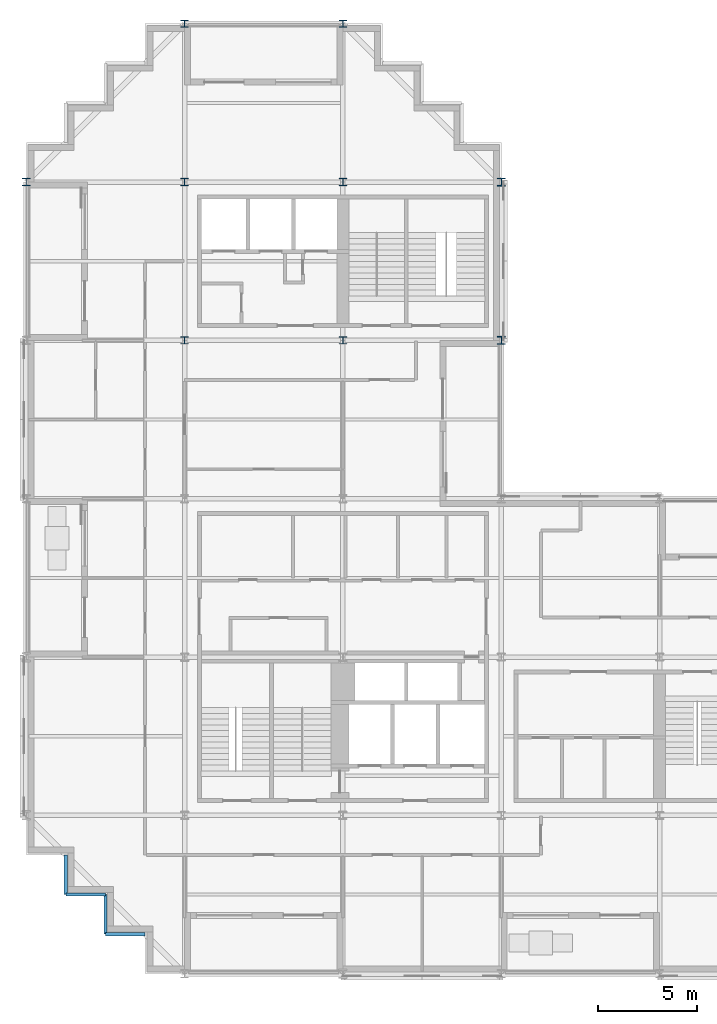
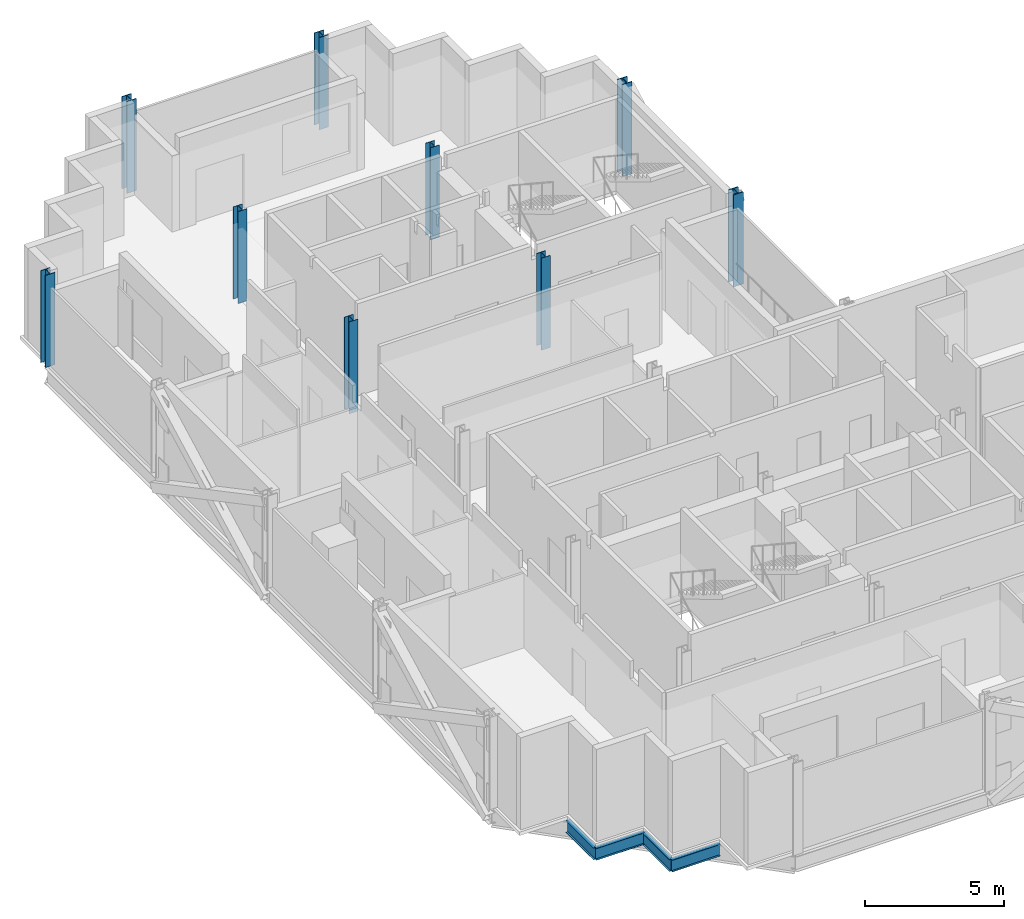
# One storey, part 2 of 12: 9 columns, 4 beams.
"""IFC4 building model written with IfcOpenShell, lengths in metres."""

import ifcopenshell
import ifcopenshell.guid

model = None  # the IFC model being written
_history = None  # IfcOwnerHistory: only IFC2X3 demands one
_inside = {}  # id of a spatial element -> (the spatial element, [elements in it])
_under = {}  # id of a project, library or spatial element -> (it, [spatial elements below it])
_declared = {}  # id of a project -> (the project, [libraries it declares])
_typed = {}  # id of a type object -> (the type object, [elements of that type])
_made_of = {}  # id of a material, layer set ... -> (it, [elements and type objects made of it])


def new_model(schema):
    """Start an empty IFC model of exactly this schema.

    Asked for "IFC4X3", IfcOpenShell would pick the latest addendum, in which some entities
    have other attributes; the version numbers below select the first issue.
    IFC2X3 requires an IfcOwnerHistory on every rooted entity: one is made here for all.
    """
    global model, _history
    if schema == "IFC4X3":
        model = ifcopenshell.file(schema_version=(4, 3, 0, 0))
    else:
        model = ifcopenshell.file(schema=schema)
    _inside.clear()
    _under.clear()
    _declared.clear()
    _typed.clear()
    _made_of.clear()
    _history = None
    if model.schema == "IFC2X3":
        org = make("IfcOrganization", Name="unknown")
        user = make(
            "IfcPersonAndOrganization",
            ThePerson=make("IfcPerson", FamilyName="unknown"),
            TheOrganization=org,
        )
        app = make(
            "IfcApplication",
            ApplicationDeveloper=org,
            Version="unknown",
            ApplicationFullName="unknown",
            ApplicationIdentifier="unknown",
        )
        _history = make(
            "IfcOwnerHistory",
            OwningUser=user,
            OwningApplication=app,
            ChangeAction="ADDED",
            CreationDate=0,
        )
    return model


def make(cls, **values):
    """One entity of the class cls with the attributes given. An attribute that is None is left unset."""
    return model.create_entity(
        cls, **{name: value for name, value in values.items() if value is not None}
    )


def rooted(cls, **values):
    """An entity with a GlobalId (a new one), such as an element, a storey or a relation."""
    return make(cls, GlobalId=ifcopenshell.guid.new(), OwnerHistory=_history, **values)


def si_unit(unit_type, name, prefix=None):
    """IfcSIUnit, for example si_unit("LENGTHUNIT", "METRE", prefix="MILLI")."""
    return make("IfcSIUnit", UnitType=unit_type, Prefix=prefix, Name=name)


def assignment(units):
    """IfcUnitAssignment: the units of a project."""
    return None if units is None else make("IfcUnitAssignment", Units=units)


def point(xyz):
    """IfcCartesianPoint."""
    return None if xyz is None else make("IfcCartesianPoint", Coordinates=xyz)


def direction(xyz):
    """IfcDirection."""
    return None if xyz is None else make("IfcDirection", DirectionRatios=xyz)


def frame(location, z_axis=None, x_axis=None):
    """IfcAxis2Placement3D, a coordinate frame: its origin and axes. An axis left out is left unset."""
    return make(
        "IfcAxis2Placement3D",
        Location=point(location),
        Axis=direction(z_axis),
        RefDirection=direction(x_axis),
    )


def frame_2d(location, x_axis=None):
    """IfcAxis2Placement2D, a coordinate frame in the plane: its origin and x axis."""
    return make(
        "IfcAxis2Placement2D", Location=point(location), RefDirection=direction(x_axis)
    )


def origin():
    """The frame at (0, 0, 0) with its axes left unset."""
    return frame((0.0, 0.0, 0.0))


def origin_2d():
    """The frame at (0, 0) in the plane with its x axis left unset."""
    return frame_2d((0.0, 0.0))


def place(relative_to, where):
    """IfcLocalPlacement: puts the frame where relative to a parent placement (None: the world)."""
    return make(
        "IfcLocalPlacement", PlacementRelTo=relative_to, RelativePlacement=where
    )


def context(
    kind, dimensions, precision=None, world=None, true_north=None, identifier=None
):
    """IfcGeometricRepresentationContext, for example the 3D "Model" context."""
    return make(
        "IfcGeometricRepresentationContext",
        ContextIdentifier=identifier,
        ContextType=kind,
        CoordinateSpaceDimension=dimensions,
        Precision=precision,
        WorldCoordinateSystem=world,
        TrueNorth=true_north,
    )


def subcontext(parent, identifier, kind, view, scale=None):
    """IfcGeometricRepresentationSubContext, for example "Body" below "Model"."""
    return make(
        "IfcGeometricRepresentationSubContext",
        ContextIdentifier=identifier,
        ContextType=kind,
        ParentContext=parent,
        TargetScale=scale,
        TargetView=view,
    )


def project(units=None, contexts=None):
    """IfcProject with its units and contexts."""
    return rooted(
        "IfcProject",
        Name="project",
        RepresentationContexts=contexts,
        UnitsInContext=assignment(units),
    )


def spatial(cls, under=None, at=None, **own):
    """A site, building, storey or space (cls), placed at a placement, below another one or the project."""
    s = rooted(cls, ObjectPlacement=at, **own)
    if under is not None:
        _under.setdefault(under.id(), (under, []))[1].append(s)
    return s


def profile(cls, at=None, kind="AREA", **sizes):
    """A parametric profile (cls). Its sizes go by their IFC names, for example OverallWidth=200.0."""
    return make(cls, ProfileType=kind, Position=at, **sizes)


def i_section(**sizes):
    """IfcIShapeProfileDef."""
    return profile("IfcIShapeProfileDef", **sizes)


def extrude(swept, where, along, depth):
    """IfcExtrudedAreaSolid: the profile swept, set in the frame where, extruded along a direction by depth."""
    return make(
        "IfcExtrudedAreaSolid",
        SweptArea=swept,
        Position=where,
        ExtrudedDirection=direction(along),
        Depth=depth,
    )


def shape(context_of_items, identifier, shape_type, items):
    """IfcShapeRepresentation: the items that make up one representation, for example the "Body"."""
    return make(
        "IfcShapeRepresentation",
        ContextOfItems=context_of_items,
        RepresentationIdentifier=identifier,
        RepresentationType=shape_type,
        Items=items,
    )


def material(Name=None, Category=None):
    """IfcMaterial."""
    return make("IfcMaterial", Name=Name, Category=Category)


def material_profile(
    of_material, cross_section, Name=None, Category=None, Priority=None
):
    """IfcMaterialProfile: a cross section and its material."""
    return make(
        "IfcMaterialProfile",
        Name=Name,
        Material=of_material,
        Profile=cross_section,
        Priority=Priority,
        Category=Category,
    )


def profile_set(profiles, Name=None, composite=None):
    """IfcMaterialProfileSet."""
    return make(
        "IfcMaterialProfileSet",
        Name=Name,
        MaterialProfiles=profiles,
        CompositeProfile=composite,
    )


def made_of(thing, what):
    """Note that an element or type object is made of a material, layer set ...; save() writes the relation."""
    if what is not None:
        _made_of.setdefault(what.id(), (what, []))[1].append(thing)
    return thing


def type_object(cls, material=None, **own):
    """A type object (cls), such as IfcWallType, which elements share."""
    return made_of(rooted(cls, **own), material)


def element(
    cls,
    number,
    at=None,
    inside=None,
    cuts=None,
    type_object=None,
    material=None,
    context=None,
    identifier="Body",
    shape_type=None,
    held_by="IfcProductDefinitionShape",
    body=None,
    shapes=None,
    **own,
):
    """One element of the class cls, such as IfcWall. Its Tag is "e" and its number.

    at: its placement. inside: the storey or other place that contains it. cuts: it is an
    opening in that element (IfcRelVoidsElement). A single representation is given by context,
    identifier, shape_type and body (its items); several are given by shapes. held_by: the class
    of the entity that holds the representations. save() writes the other relations.
    """
    e = rooted(cls, Tag="e%d" % number, ObjectPlacement=at, **own)
    if body is not None:
        shapes = [shape(context, identifier, shape_type, body)]
    if shapes is not None:
        e.Representation = make(held_by, Representations=shapes)
    if inside is not None:
        _inside.setdefault(inside.id(), (inside, []))[1].append(e)
    if cuts is not None:
        rooted(
            "IfcRelVoidsElement", RelatingBuildingElement=cuts, RelatedOpeningElement=e
        )
    if type_object is not None:
        _typed.setdefault(type_object.id(), (type_object, []))[1].append(e)
    return made_of(e, material)


def aggregate(whole, parts):
    """IfcRelAggregates: a whole, such as a stair, and the parts it consists of."""
    return rooted("IfcRelAggregates", RelatingObject=whole, RelatedObjects=parts)


def save(model, path):
    """Write the relations noted so far, then the file.

    IfcRelAggregates (storeys below a building ...), IfcRelContainedInSpatialStructure (elements
    in a storey), IfcRelDefinesByType, IfcRelAssociatesMaterial and IfcRelDeclares: one each for
    every whole, place, type object, material and project.
    """
    for whole, parts in _under.values():
        aggregate(whole, parts)
    for where, things in _inside.values():
        rooted(
            "IfcRelContainedInSpatialStructure",
            RelatedElements=things,
            RelatingStructure=where,
        )
    for kind, things in _typed.values():
        rooted("IfcRelDefinesByType", RelatedObjects=things, RelatingType=kind)
    for what, things in _made_of.values():
        rooted("IfcRelAssociatesMaterial", RelatedObjects=things, RelatingMaterial=what)
    for by, libraries in _declared.values():
        rooted("IfcRelDeclares", RelatingContext=by, RelatedDefinitions=libraries)
    model.write(path)


model = new_model("IFC4")

# Units and contexts
model_context = context("Model", 3, precision=1e-05, world=origin(), true_north=direction((0.0, 1.0)))
body_context = subcontext(model_context, "Body", "Model", "MODEL_VIEW")
ifc_project = project(units=[si_unit("LENGTHUNIT", "METRE"), si_unit("AREAUNIT", "SQUARE_METRE"), si_unit("VOLUMEUNIT", "CUBIC_METRE"), si_unit("PLANEANGLEUNIT", "RADIAN"), si_unit("MASSUNIT", "GRAM", prefix="KILO")], contexts=[model_context])

# Site, building, storey
site_placement = place(None, origin())
site = spatial("IfcSite", under=ifc_project, at=site_placement, CompositionType="ELEMENT")
building_placement = place(site_placement, origin())
building = spatial("IfcBuilding", under=site, at=building_placement, Name="Immortelle Media Tower", CompositionType="ELEMENT")
storey_placement = place(building_placement, frame((0.0, 0.0, 149.39990234375)))
storey = spatial("IfcBuildingStorey", under=building, at=storey_placement, Name="L30", CompositionType="ELEMENT", Elevation=149.39990234375)

# Columns
ifc_material = material(Name="Steel ASTM A992 Gr 50", Category="steel")
ifc_material_profile_1 = material_profile(ifc_material, i_section(OverallWidth=0.39404296875, OverallDepth=0.3759765625, WebThickness=0.01708984375, FlangeThickness=0.028076171875, at=origin_2d()), Name="W14x145")
ifc_profile_set_1 = profile_set([ifc_material_profile_1], Name="Steel ASTM A992 Gr 50")
column_type_1 = type_object("IfcColumnType", Name="W14x145 column", PredefinedType="COLUMN", material=ifc_profile_set_1)
for number, where, z_axis, x_axis, name in (
    (1, (0.0, 40.0, 0.0), (0.0, 0.0, 1.0), (1.0, 0.0, 0.0), "Column 1/F"),
    (2, (8.0, 48.0, 0.0), (0.0, 0.0, 1.0), (1.0, 0.0, 0.0), "Column 2/G"),
    (3, (16.0, 48.0, 0.0), (0.0, 0.0, 1.0), (1.0, 0.0, 0.0), "Column 3/G"),
):
    element("IfcColumn", number, at=place(storey_placement, frame(where, z_axis=z_axis, x_axis=x_axis)), inside=storey, type_object=column_type_1, Name=name, PredefinedType="COLUMN", context=body_context, shape_type="SweptSolid", body=[
        extrude(i_section(OverallWidth=0.39404296875, OverallDepth=0.3759765625, WebThickness=0.01708984375, FlangeThickness=0.028076171875, at=origin_2d()), origin(), (0.0, 0.0, 1.0), 4.050048828125),
    ])
ifc_material_profile_2 = material_profile(ifc_material, i_section(OverallWidth=0.40087890625, OverallDepth=0.39892578125, WebThickness=0.02490234375, FlangeThickness=0.0400390625, at=origin_2d()), Name="W14x211")
ifc_profile_set_2 = profile_set([ifc_material_profile_2], Name="Steel ASTM A992 Gr 50")
column_type_2 = type_object("IfcColumnType", Name="W14x211 column", PredefinedType="COLUMN", material=ifc_profile_set_2)
for number, where, z_axis, x_axis, name in (
    (4, (24.0, 32.0, 0.0), (0.0, 0.0, 1.0), (1.0, 0.0, 0.0), "Column 4/E"),
    (5, (24.0, 40.0, 0.0), (0.0, 0.0, 1.0), (1.0, 0.0, 0.0), "Column 4/F"),
):
    element("IfcColumn", number, at=place(storey_placement, frame(where, z_axis=z_axis, x_axis=x_axis)), inside=storey, type_object=column_type_2, Name=name, PredefinedType="COLUMN", context=body_context, shape_type="SweptSolid", body=[
        extrude(i_section(OverallWidth=0.40087890625, OverallDepth=0.39892578125, WebThickness=0.02490234375, FlangeThickness=0.0400390625, at=origin_2d()), origin(), (0.0, 0.0, 1.0), 4.050048828125),
    ])
ifc_material_profile_3 = material_profile(ifc_material, i_section(OverallWidth=0.37109375, OverallDepth=0.361083984375, WebThickness=0.011962890625, FlangeThickness=0.02001953125, at=origin_2d()), Name="W14x99")
ifc_profile_set_3 = profile_set([ifc_material_profile_3], Name="Steel ASTM A992 Gr 50")
column_type_3 = type_object("IfcColumnType", Name="W14x99 column", PredefinedType="COLUMN", material=ifc_profile_set_3)
for number, where, z_axis, x_axis, name in (
    (6, (8.0, 32.0, 0.0), (0.0, 0.0, 1.0), (1.0, 0.0, 0.0), "Column 2/E"),
    (7, (8.0, 40.0, 0.0), (0.0, 0.0, 1.0), (1.0, 0.0, 0.0), "Column 2/F"),
    (8, (16.0, 32.0, 0.0), (0.0, 0.0, 1.0), (1.0, 0.0, 0.0), "Column 3/E"),
    (9, (16.0, 40.0, 0.0), (0.0, 0.0, 1.0), (1.0, 0.0, 0.0), "Column 3/F"),
):
    element("IfcColumn", number, at=place(storey_placement, frame(where, z_axis=z_axis, x_axis=x_axis)), inside=storey, type_object=column_type_3, Name=name, PredefinedType="COLUMN", context=body_context, shape_type="SweptSolid", body=[
        extrude(i_section(OverallWidth=0.37109375, OverallDepth=0.361083984375, WebThickness=0.011962890625, FlangeThickness=0.02001953125, at=origin_2d()), origin(), (0.0, 0.0, 1.0), 4.050048828125),
    ])

# Beams
ifc_material_profile_4 = material_profile(ifc_material, i_section(OverallWidth=0.1650390625, OverallDepth=0.52587890625, WebThickness=0.009033203125, FlangeThickness=0.010986328125, at=origin_2d()), Name="W21x44")
ifc_profile_set_4 = profile_set([ifc_material_profile_4], Name="Steel ASTM A992 Gr 50")
beam_type = type_object("IfcBeamType", Name="W21x44 serration edge beam", PredefinedType="SPANDREL", material=ifc_profile_set_4)
for number, where, z_axis, x_axis, name in (
    (10, (6.0, 2.0, -0.412841796875), (-1.0, 0.0, 0.0), (0.0, -1.0, 0.0), "Corner edge beam 1 at 1/A"),
    (11, (4.0, 2.0, -0.412841796875), (0.0, 1.0, 0.0), (-1.0, 0.0, 0.0), "Corner edge beam 2 at 1/A"),
    (12, (4.0, 4.0, -0.412841796875), (-1.0, 0.0, 0.0), (0.0, -1.0, 0.0), "Corner edge beam 3 at 1/A"),
    (13, (2.0, 4.0, -0.412841796875), (0.0, 1.0, 0.0), (-1.0, 0.0, 0.0), "Corner edge beam 4 at 1/A"),
):
    element("IfcBeam", number, at=place(storey_placement, frame(where, z_axis=z_axis, x_axis=x_axis)), inside=storey, type_object=beam_type, Name=name, PredefinedType="SPANDREL", context=body_context, shape_type="SweptSolid", body=[
        extrude(i_section(OverallWidth=0.1650390625, OverallDepth=0.52587890625, WebThickness=0.009033203125, FlangeThickness=0.010986328125, at=origin_2d()), origin(), (0.0, 0.0, 1.0), 2.0),
    ])

save(model, "model.ifc")
